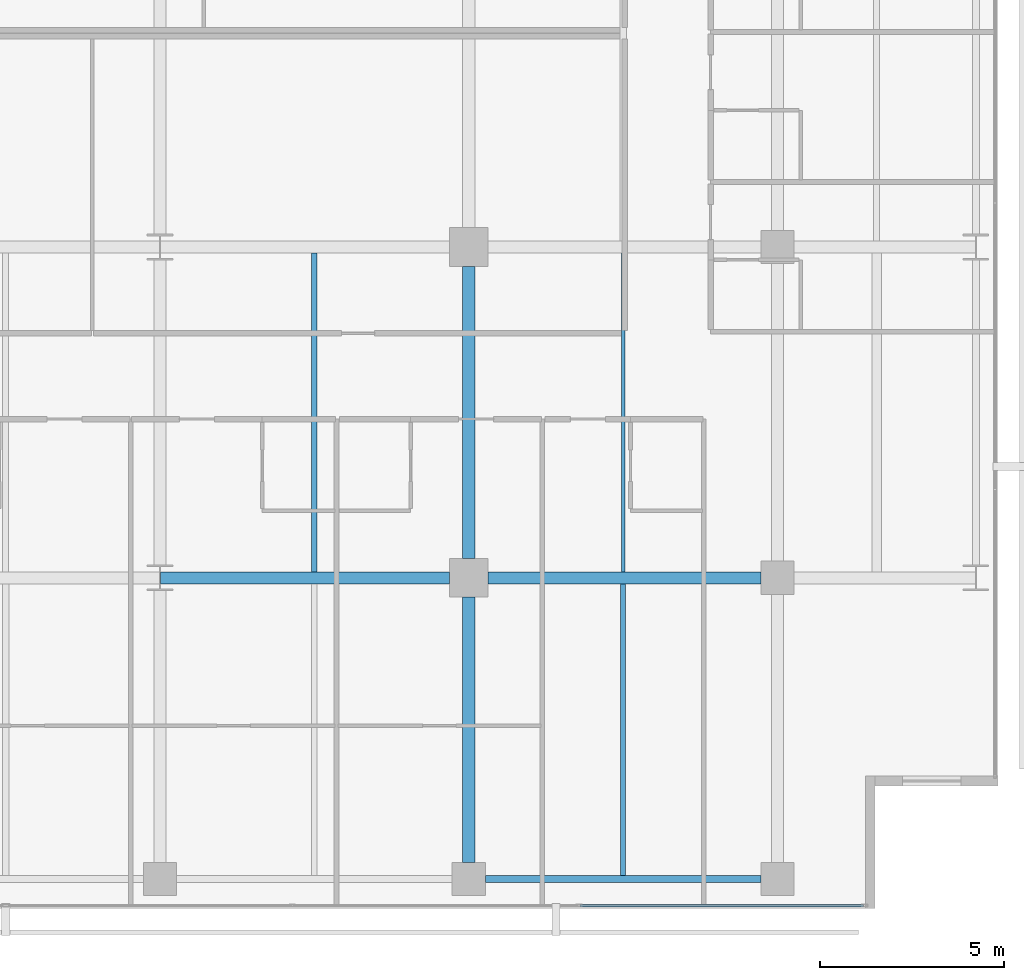
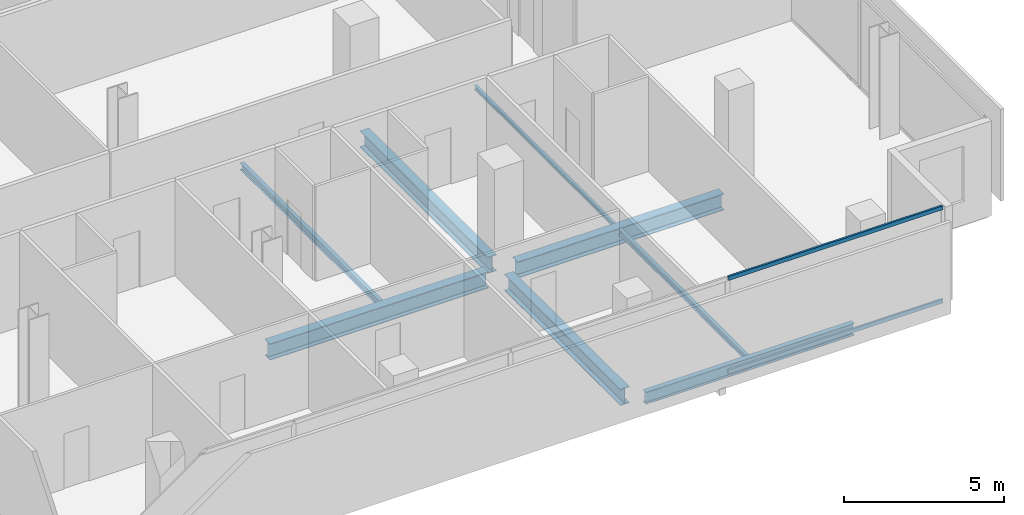
# One storey, part 15 of 40: 8 beams, 2 members, 1 element without a shape of its own.
"""IFC4 building model written with IfcOpenShell, lengths in metres."""

from ifc_helpers import new_model, si_unit, direction, frame, origin, origin_2d, place, context, subcontext, project, spatial, hollow_rectangle, i_section, extrude, material, layer, layer_set, material_profile, profile_set, type_object, element, aggregate, save


model = new_model("IFC4")

# Units and contexts
model_context = context("Model", 3, precision=1e-05, world=origin(), true_north=direction((0.0, 1.0)))
body_context = subcontext(model_context, "Body", "Model", "MODEL_VIEW")
ifc_project = project(units=[si_unit("LENGTHUNIT", "METRE"), si_unit("AREAUNIT", "SQUARE_METRE"), si_unit("VOLUMEUNIT", "CUBIC_METRE"), si_unit("PLANEANGLEUNIT", "RADIAN"), si_unit("MASSUNIT", "GRAM", prefix="KILO")], contexts=[model_context])

# Site, building, storey
site_placement = place(None, origin())
site = spatial("IfcSite", under=ifc_project, at=site_placement, CompositionType="ELEMENT")
building_placement = place(site_placement, origin())
building = spatial("IfcBuilding", under=site, at=building_placement, Name="Maruvema Waterfront Hotel and Observation Tower", CompositionType="ELEMENT")
storey_placement = place(building_placement, frame((0.0, 0.0, 53.89990234375)))
storey = spatial("IfcBuildingStorey", under=building, at=storey_placement, Name="L12", CompositionType="ELEMENT", Elevation=53.89990234375)

# Curtain wall, members
ifc_material_1 = material(Name="Anodised bronze aluminium and solar-control low-E IGU", Category="aluminium")
ifc_layer = layer(ifc_material_1, 0.159912109375, Name="Zone 1 Bronze Inner Thermal Curtain Wall System CW-02")
ifc_layer_set = layer_set([ifc_layer], Name="Anodised bronze aluminium and solar-control low-E IGU")
curtain_wall_type = type_object("IfcCurtainWallType", Name="Zone 1 Bronze Inner Thermal Curtain Wall System CW-02", PredefinedType="USERDEFINED", material=ifc_layer_set)
curtain_wall_placement = place(storey_placement, origin())
curtain_wall = element("IfcCurtainWall", 1, at=curtain_wall_placement, inside=storey, type_object=curtain_wall_type, Name="L12 Curtain Wall CW-L12-S", ObjectType="UNITISED CURTAIN WALL", PredefinedType="USERDEFINED")
ifc_material_2 = material(Name="Anodised architectural bronze aluminium", Category="aluminium")
ifc_material_profile_1 = material_profile(ifc_material_2, hollow_rectangle(XDim=0.070068359375, YDim=0.14990234375, WallThickness=0.00390625, at=origin_2d()), Name="ALU-T70x150")
ifc_profile_set_1 = profile_set([ifc_material_profile_1], Name="Anodised architectural bronze aluminium")
member_type = type_object("IfcMemberType", Name="Curtain Wall Horizontal Transom ALU-T70x150", PredefinedType="USERDEFINED", material=ifc_profile_set_1)
member_1_placement = place(storey_placement, frame((53.429931640625, 0.080078125, 0.030029296875), z_axis=(1.0, 0.0, 0.0), x_axis=(0.0, 1.0, 0.0)))
member_1 = element("IfcMember", 2, at=member_1_placement, type_object=member_type, Name="CW-02 transom 6.1", ObjectType="TRANSOM", PredefinedType="USERDEFINED", context=body_context, shape_type="SweptSolid", body=[
    extrude(hollow_rectangle(XDim=0.070068359375, YDim=0.14990234375, WallThickness=0.00390625, at=origin_2d()), origin(), (0.0, 0.0, 1.0), 7.7099609375),
])
member_2_placement = place(storey_placement, frame((53.429931640625, 0.080078125, 3.580078125), z_axis=(1.0, 0.0, 0.0), x_axis=(0.0, 1.0, 0.0)))
member_2 = element("IfcMember", 3, at=member_2_placement, type_object=member_type, Name="CW-02 transom 6.2", ObjectType="TRANSOM", PredefinedType="USERDEFINED", context=body_context, shape_type="SweptSolid", body=[
    extrude(hollow_rectangle(XDim=0.070068359375, YDim=0.14990234375, WallThickness=0.00390625, at=origin_2d()), origin(), (0.0, 0.0, 1.0), 7.7099609375),
])
aggregate(curtain_wall, [member_1, member_2])

# Beams
ifc_material_3 = material(Name="Steel ASTM A572 Grade 50", Category="steel")
ifc_material_profile_2 = material_profile(ifc_material_3, i_section(OverallWidth=0.18994140625, OverallDepth=0.45703125, WebThickness=0.009033203125, FlangeThickness=0.014404296875, FilletRadius=0.014892578125, at=origin_2d()), Name="W460x74.0")
ifc_profile_set_2 = profile_set([ifc_material_profile_2], Name="Steel ASTM A572 Grade 50")
beam_type_1 = type_object("IfcBeamType", Name="Perimeter Spandrel Beam W460x74.0", PredefinedType="SPANDREL", material=ifc_profile_set_2)
beam_1_placement = place(storey_placement, frame((50.85009765625, 0.800048828125, -0.468505859375), z_axis=(1.0, 0.0, 0.0), x_axis=(0.0, 1.0, 0.0)))
element("IfcBeam", 4, at=beam_1_placement, inside=storey, type_object=beam_type_1, Name="L12 Floor Girder EW-05", PredefinedType="SPANDREL", context=body_context, shape_type="SweptSolid", body=[
    extrude(i_section(OverallWidth=0.18994140625, OverallDepth=0.45703125, WebThickness=0.009033203125, FlangeThickness=0.014404296875, FilletRadius=0.014892578125, at=origin_2d()), origin(), (0.0, 0.0, 1.0), 7.5),
])
ifc_material_4 = material(Name="Steel ASTM A572 Grade 50", Category="steel")
ifc_material_profile_3 = material_profile(ifc_material_4, i_section(OverallWidth=0.326904296875, OverallDepth=0.6220703125, WebThickness=0.015380859375, FlangeThickness=0.0244140625, FilletRadius=0.01806640625, at=origin_2d()), Name="W610x195.0")
ifc_profile_set_3 = profile_set([ifc_material_profile_3], Name="Steel ASTM A572 Grade 50")
beam_type_2 = type_object("IfcBeamType", Name="Primary Floor Girder W610x195.0", PredefinedType="BEAM", material=ifc_profile_set_3)
beam_2_placement = place(storey_placement, frame((42.013916015625, 9.0, -0.55078125), z_axis=(1.0, 0.0, 0.0), x_axis=(0.0, 1.0, 0.0)))
element("IfcBeam", 5, at=beam_2_placement, inside=storey, type_object=beam_type_2, Name="L12 Floor Girder EW-10", PredefinedType="BEAM", context=body_context, shape_type="SweptSolid", body=[
    extrude(i_section(OverallWidth=0.326904296875, OverallDepth=0.6220703125, WebThickness=0.015380859375, FlangeThickness=0.0244140625, FilletRadius=0.01806640625, at=origin_2d()), origin(), (0.0, 0.0, 1.0), 7.861083984375),
])
beam_3_placement = place(storey_placement, frame((50.925048828125, 9.0, -0.55078125), z_axis=(1.0, 0.0, 0.0), x_axis=(0.0, 1.0, 0.0)))
element("IfcBeam", 6, at=beam_3_placement, inside=storey, type_object=beam_type_2, Name="L12 Floor Girder EW-11", PredefinedType="BEAM", context=body_context, shape_type="SweptSolid", body=[
    extrude(i_section(OverallWidth=0.326904296875, OverallDepth=0.6220703125, WebThickness=0.015380859375, FlangeThickness=0.0244140625, FilletRadius=0.01806640625, at=origin_2d()), origin(), (0.0, 0.0, 1.0), 7.425048828125),
])
beam_4_placement = place(storey_placement, frame((50.39990234375, 1.25, -0.55078125), z_axis=(0.0, 1.0, 0.0), x_axis=(-1.0, 0.0, 0.0)))
element("IfcBeam", 7, at=beam_4_placement, inside=storey, type_object=beam_type_2, Name="L12 Floor Girder NS-22", PredefinedType="BEAM", context=body_context, shape_type="SweptSolid", body=[
    extrude(i_section(OverallWidth=0.326904296875, OverallDepth=0.6220703125, WebThickness=0.015380859375, FlangeThickness=0.0244140625, FilletRadius=0.01806640625, at=origin_2d()), origin(), (0.0, 0.0, 1.0), 7.22509765625),
])
beam_5_placement = place(storey_placement, frame((50.39990234375, 9.52490234375, -0.55078125), z_axis=(0.0, 1.0, 0.0), x_axis=(-1.0, 0.0, 0.0)))
element("IfcBeam", 8, at=beam_5_placement, inside=storey, type_object=beam_type_2, Name="L12 Floor Girder NS-23", PredefinedType="BEAM", context=body_context, shape_type="SweptSolid", body=[
    extrude(i_section(OverallWidth=0.326904296875, OverallDepth=0.6220703125, WebThickness=0.015380859375, FlangeThickness=0.0244140625, FilletRadius=0.01806640625, at=origin_2d()), origin(), (0.0, 0.0, 1.0), 7.9501953125),
])
ifc_material_5 = material(Name="Steel ASTM A572 Grade 50", Category="steel")
ifc_material_profile_4 = material_profile(ifc_material_5, i_section(OverallWidth=0.10009765625, OverallDepth=0.153076171875, WebThickness=0.005859375, FlangeThickness=0.007080078125, FilletRadius=0.008056640625, at=origin_2d()), Name="W150x18.0")
ifc_profile_set_4 = profile_set([ifc_material_profile_4], Name="Steel ASTM A572 Grade 50")
beam_type_3 = type_object("IfcBeamType", Name="Secondary Floor Joist W150x18.0", PredefinedType="JOIST", material=ifc_profile_set_4)
beam_6_placement = place(storey_placement, frame((54.60009765625, 9.16357421875, -0.31640625), z_axis=(0.0, 1.0, 0.0), x_axis=(-1.0, 0.0, 0.0)))
element("IfcBeam", 9, at=beam_6_placement, inside=storey, type_object=beam_type_3, Name="L12 Secondary Floor Joist JS-17", PredefinedType="JOIST", context=body_context, shape_type="SweptSolid", body=[
    extrude(i_section(OverallWidth=0.10009765625, OverallDepth=0.153076171875, WebThickness=0.005859375, FlangeThickness=0.007080078125, FilletRadius=0.008056640625, at=origin_2d()), origin(), (0.0, 0.0, 1.0), 8.6728515625),
])
ifc_material_6 = material(Name="Steel ASTM A572 Grade 50", Category="steel")
ifc_material_profile_5 = material_profile(ifc_material_6, i_section(OverallWidth=0.133056640625, OverallDepth=0.20703125, WebThickness=0.005859375, FlangeThickness=0.00830078125, FilletRadius=0.010009765625, at=origin_2d()), Name="W200x26.6")
ifc_profile_set_5 = profile_set([ifc_material_profile_5], Name="Steel ASTM A572 Grade 50")
beam_type_4 = type_object("IfcBeamType", Name="Secondary Floor Joist W200x26.6", PredefinedType="JOIST", material=ifc_profile_set_5)
beam_7_placement = place(storey_placement, frame((54.60009765625, 0.89501953125, -0.343505859375), z_axis=(0.0, 1.0, 0.0), x_axis=(-1.0, 0.0, 0.0)))
element("IfcBeam", 10, at=beam_7_placement, inside=storey, type_object=beam_type_4, Name="L12 Secondary Floor Joist JS-16", PredefinedType="JOIST", context=body_context, shape_type="SweptSolid", body=[
    extrude(i_section(OverallWidth=0.133056640625, OverallDepth=0.20703125, WebThickness=0.005859375, FlangeThickness=0.00830078125, FilletRadius=0.010009765625, at=origin_2d()), origin(), (0.0, 0.0, 1.0), 7.94140625),
])
ifc_material_7 = material(Name="Steel ASTM A572 Grade 50", Category="steel")
ifc_material_profile_6 = material_profile(ifc_material_7, i_section(OverallWidth=0.14599609375, OverallDepth=0.258056640625, WebThickness=0.006103515625, FlangeThickness=0.009033203125, FilletRadius=0.012939453125, at=origin_2d()), Name="W250x32.7")
ifc_profile_set_6 = profile_set([ifc_material_profile_6], Name="Steel ASTM A572 Grade 50")
beam_type_5 = type_object("IfcBeamType", Name="Secondary Floor Joist W250x32.7", PredefinedType="JOIST", material=ifc_profile_set_6)
beam_8_placement = place(storey_placement, frame((46.199951171875, 9.16357421875, -0.368896484375), z_axis=(0.0, 1.0, 0.0), x_axis=(-1.0, 0.0, 0.0)))
element("IfcBeam", 11, at=beam_8_placement, inside=storey, type_object=beam_type_5, Name="L12 Secondary Floor Joist JS-15", PredefinedType="JOIST", context=body_context, shape_type="SweptSolid", body=[
    extrude(i_section(OverallWidth=0.14599609375, OverallDepth=0.258056640625, WebThickness=0.006103515625, FlangeThickness=0.009033203125, FilletRadius=0.012939453125, at=origin_2d()), origin(), (0.0, 0.0, 1.0), 8.6728515625),
])

save(model, "model.ifc")
